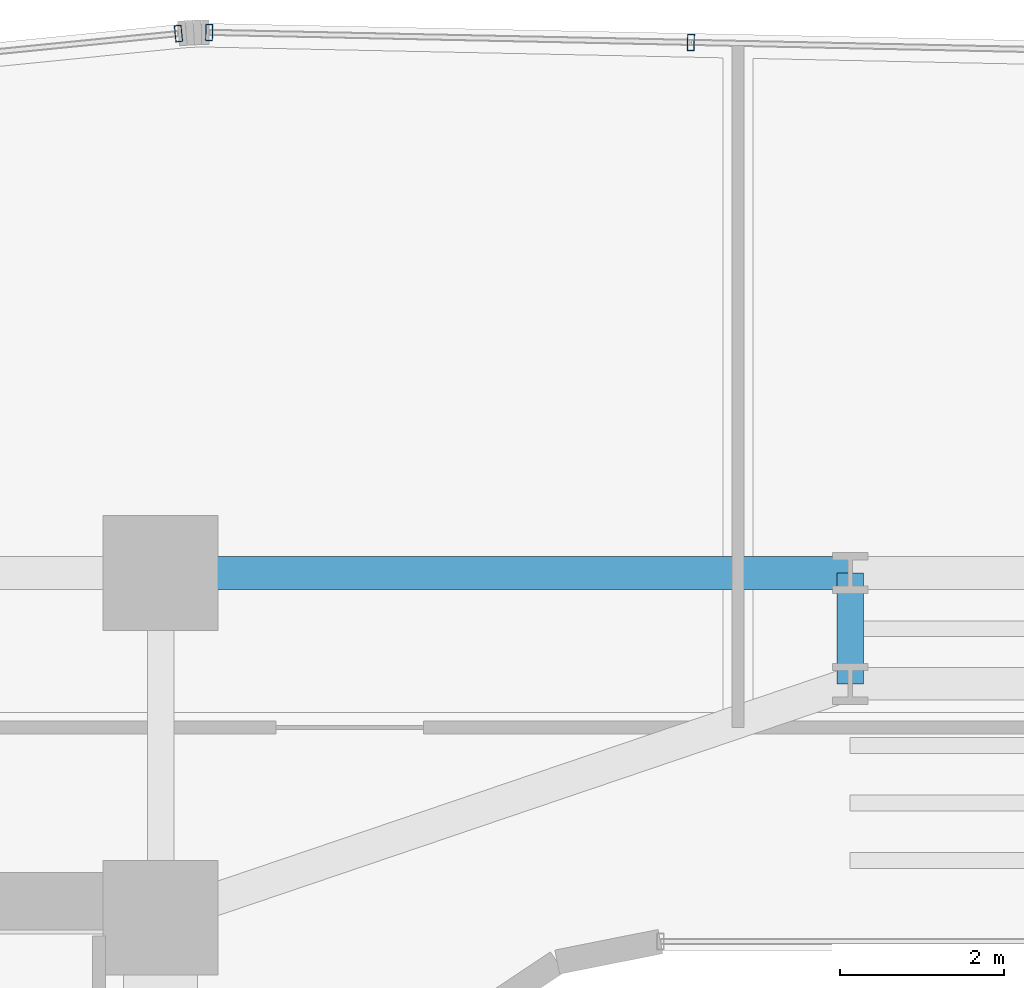
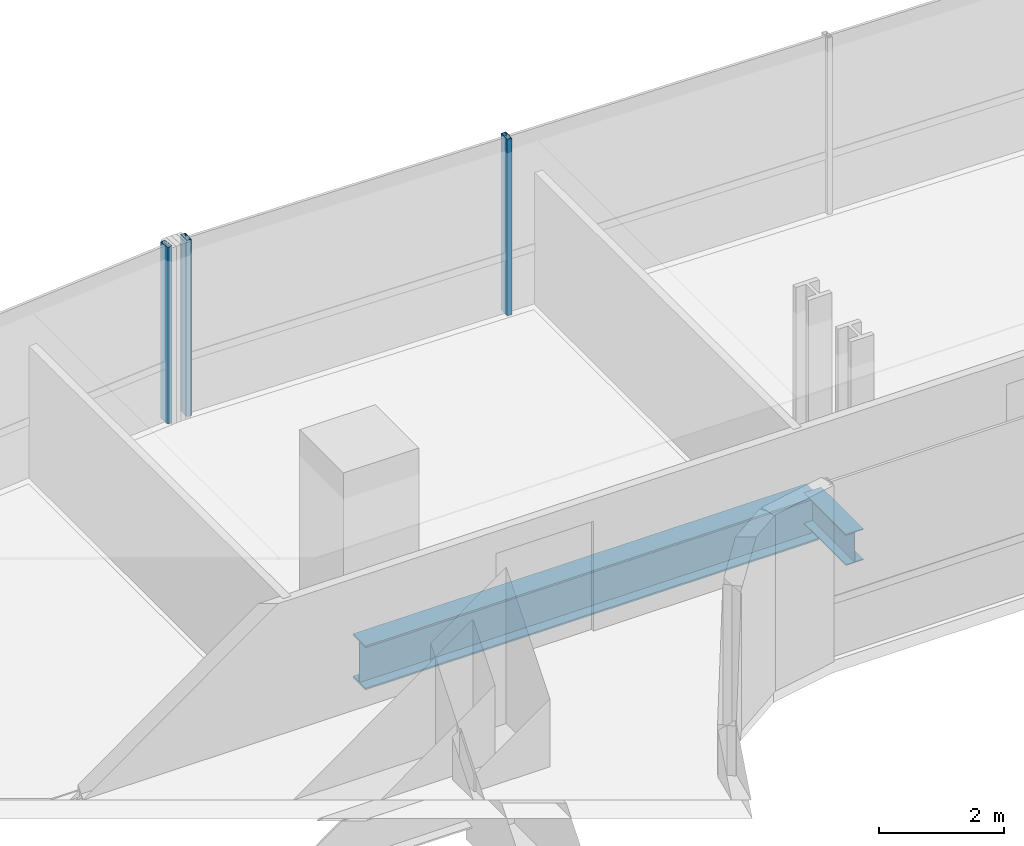
# One storey, part 19 of 39: 3 members, 2 beams, 2 elements without a shape of their own.
"""IFC4 building model written with IfcOpenShell, lengths in metres."""

import ifcopenshell
import ifcopenshell.guid

model = None  # the IFC model being written
_history = None  # IfcOwnerHistory: only IFC2X3 demands one
_inside = {}  # id of a spatial element -> (the spatial element, [elements in it])
_under = {}  # id of a project, library or spatial element -> (it, [spatial elements below it])
_declared = {}  # id of a project -> (the project, [libraries it declares])
_typed = {}  # id of a type object -> (the type object, [elements of that type])
_made_of = {}  # id of a material, layer set ... -> (it, [elements and type objects made of it])


def new_model(schema):
    """Start an empty IFC model of exactly this schema.

    Asked for "IFC4X3", IfcOpenShell would pick the latest addendum, in which some entities
    have other attributes; the version numbers below select the first issue.
    IFC2X3 requires an IfcOwnerHistory on every rooted entity: one is made here for all.
    """
    global model, _history
    if schema == "IFC4X3":
        model = ifcopenshell.file(schema_version=(4, 3, 0, 0))
    else:
        model = ifcopenshell.file(schema=schema)
    _inside.clear()
    _under.clear()
    _declared.clear()
    _typed.clear()
    _made_of.clear()
    _history = None
    if model.schema == "IFC2X3":
        org = make("IfcOrganization", Name="unknown")
        user = make(
            "IfcPersonAndOrganization",
            ThePerson=make("IfcPerson", FamilyName="unknown"),
            TheOrganization=org,
        )
        app = make(
            "IfcApplication",
            ApplicationDeveloper=org,
            Version="unknown",
            ApplicationFullName="unknown",
            ApplicationIdentifier="unknown",
        )
        _history = make(
            "IfcOwnerHistory",
            OwningUser=user,
            OwningApplication=app,
            ChangeAction="ADDED",
            CreationDate=0,
        )
    return model


def make(cls, **values):
    """One entity of the class cls with the attributes given. An attribute that is None is left unset."""
    return model.create_entity(
        cls, **{name: value for name, value in values.items() if value is not None}
    )


def rooted(cls, **values):
    """An entity with a GlobalId (a new one), such as an element, a storey or a relation."""
    return make(cls, GlobalId=ifcopenshell.guid.new(), OwnerHistory=_history, **values)


def si_unit(unit_type, name, prefix=None):
    """IfcSIUnit, for example si_unit("LENGTHUNIT", "METRE", prefix="MILLI")."""
    return make("IfcSIUnit", UnitType=unit_type, Prefix=prefix, Name=name)


def assignment(units):
    """IfcUnitAssignment: the units of a project."""
    return None if units is None else make("IfcUnitAssignment", Units=units)


def point(xyz):
    """IfcCartesianPoint."""
    return None if xyz is None else make("IfcCartesianPoint", Coordinates=xyz)


def direction(xyz):
    """IfcDirection."""
    return None if xyz is None else make("IfcDirection", DirectionRatios=xyz)


def frame(location, z_axis=None, x_axis=None):
    """IfcAxis2Placement3D, a coordinate frame: its origin and axes. An axis left out is left unset."""
    return make(
        "IfcAxis2Placement3D",
        Location=point(location),
        Axis=direction(z_axis),
        RefDirection=direction(x_axis),
    )


def frame_2d(location, x_axis=None):
    """IfcAxis2Placement2D, a coordinate frame in the plane: its origin and x axis."""
    return make(
        "IfcAxis2Placement2D", Location=point(location), RefDirection=direction(x_axis)
    )


def origin():
    """The frame at (0, 0, 0) with its axes left unset."""
    return frame((0.0, 0.0, 0.0))


def origin_2d():
    """The frame at (0, 0) in the plane with its x axis left unset."""
    return frame_2d((0.0, 0.0))


def place(relative_to, where):
    """IfcLocalPlacement: puts the frame where relative to a parent placement (None: the world)."""
    return make(
        "IfcLocalPlacement", PlacementRelTo=relative_to, RelativePlacement=where
    )


def context(
    kind, dimensions, precision=None, world=None, true_north=None, identifier=None
):
    """IfcGeometricRepresentationContext, for example the 3D "Model" context."""
    return make(
        "IfcGeometricRepresentationContext",
        ContextIdentifier=identifier,
        ContextType=kind,
        CoordinateSpaceDimension=dimensions,
        Precision=precision,
        WorldCoordinateSystem=world,
        TrueNorth=true_north,
    )


def subcontext(parent, identifier, kind, view, scale=None):
    """IfcGeometricRepresentationSubContext, for example "Body" below "Model"."""
    return make(
        "IfcGeometricRepresentationSubContext",
        ContextIdentifier=identifier,
        ContextType=kind,
        ParentContext=parent,
        TargetScale=scale,
        TargetView=view,
    )


def project(units=None, contexts=None):
    """IfcProject with its units and contexts."""
    return rooted(
        "IfcProject",
        Name="project",
        RepresentationContexts=contexts,
        UnitsInContext=assignment(units),
    )


def spatial(cls, under=None, at=None, **own):
    """A site, building, storey or space (cls), placed at a placement, below another one or the project."""
    s = rooted(cls, ObjectPlacement=at, **own)
    if under is not None:
        _under.setdefault(under.id(), (under, []))[1].append(s)
    return s


def profile(cls, at=None, kind="AREA", **sizes):
    """A parametric profile (cls). Its sizes go by their IFC names, for example OverallWidth=200.0."""
    return make(cls, ProfileType=kind, Position=at, **sizes)


def hollow_rectangle(**sizes):
    """IfcRectangleHollowProfileDef."""
    return profile("IfcRectangleHollowProfileDef", **sizes)


def i_section(**sizes):
    """IfcIShapeProfileDef."""
    return profile("IfcIShapeProfileDef", **sizes)


def extrude(swept, where, along, depth):
    """IfcExtrudedAreaSolid: the profile swept, set in the frame where, extruded along a direction by depth."""
    return make(
        "IfcExtrudedAreaSolid",
        SweptArea=swept,
        Position=where,
        ExtrudedDirection=direction(along),
        Depth=depth,
    )


def shape(context_of_items, identifier, shape_type, items):
    """IfcShapeRepresentation: the items that make up one representation, for example the "Body"."""
    return make(
        "IfcShapeRepresentation",
        ContextOfItems=context_of_items,
        RepresentationIdentifier=identifier,
        RepresentationType=shape_type,
        Items=items,
    )


def source(mapping_origin, context_of_items, identifier, shape_type, items):
    """IfcRepresentationMap: a shape defined once, which mapped items show again and again."""
    return make(
        "IfcRepresentationMap",
        MappingOrigin=mapping_origin,
        MappedRepresentation=shape(context_of_items, identifier, shape_type, items),
    )


def transform(
    local_origin,
    x_axis=None,
    y_axis=None,
    z_axis=None,
    scale=None,
    scale2=None,
    scale3=None,
    uniform=True,
):
    """IfcCartesianTransformationOperator3D, or its non-uniform kind. x_axis, y_axis, z_axis: its Axis1, 2, 3."""
    if uniform:
        return make(
            "IfcCartesianTransformationOperator3D",
            Axis1=direction(x_axis),
            Axis2=direction(y_axis),
            LocalOrigin=point(local_origin),
            Scale=scale,
            Axis3=direction(z_axis),
        )
    return make(
        "IfcCartesianTransformationOperator3DnonUniform",
        Axis1=direction(x_axis),
        Axis2=direction(y_axis),
        LocalOrigin=point(local_origin),
        Scale=scale,
        Axis3=direction(z_axis),
        Scale2=scale2,
        Scale3=scale3,
    )


def mapped(mapping_source, mapping_target):
    """IfcMappedItem: shows the shape of a source again, moved by a transform."""
    return make(
        "IfcMappedItem", MappingSource=mapping_source, MappingTarget=mapping_target
    )


def material(Name=None, Category=None):
    """IfcMaterial."""
    return make("IfcMaterial", Name=Name, Category=Category)


def material_profile(
    of_material, cross_section, Name=None, Category=None, Priority=None
):
    """IfcMaterialProfile: a cross section and its material."""
    return make(
        "IfcMaterialProfile",
        Name=Name,
        Material=of_material,
        Profile=cross_section,
        Priority=Priority,
        Category=Category,
    )


def profile_set(profiles, Name=None, composite=None):
    """IfcMaterialProfileSet."""
    return make(
        "IfcMaterialProfileSet",
        Name=Name,
        MaterialProfiles=profiles,
        CompositeProfile=composite,
    )


def made_of(thing, what):
    """Note that an element or type object is made of a material, layer set ...; save() writes the relation."""
    if what is not None:
        _made_of.setdefault(what.id(), (what, []))[1].append(thing)
    return thing


def type_object(cls, material=None, **own):
    """A type object (cls), such as IfcWallType, which elements share."""
    return made_of(rooted(cls, **own), material)


def element(
    cls,
    number,
    at=None,
    inside=None,
    cuts=None,
    type_object=None,
    material=None,
    context=None,
    identifier="Body",
    shape_type=None,
    held_by="IfcProductDefinitionShape",
    body=None,
    shapes=None,
    **own,
):
    """One element of the class cls, such as IfcWall. Its Tag is "e" and its number.

    at: its placement. inside: the storey or other place that contains it. cuts: it is an
    opening in that element (IfcRelVoidsElement). A single representation is given by context,
    identifier, shape_type and body (its items); several are given by shapes. held_by: the class
    of the entity that holds the representations. save() writes the other relations.
    """
    e = rooted(cls, Tag="e%d" % number, ObjectPlacement=at, **own)
    if body is not None:
        shapes = [shape(context, identifier, shape_type, body)]
    if shapes is not None:
        e.Representation = make(held_by, Representations=shapes)
    if inside is not None:
        _inside.setdefault(inside.id(), (inside, []))[1].append(e)
    if cuts is not None:
        rooted(
            "IfcRelVoidsElement", RelatingBuildingElement=cuts, RelatedOpeningElement=e
        )
    if type_object is not None:
        _typed.setdefault(type_object.id(), (type_object, []))[1].append(e)
    return made_of(e, material)


def aggregate(whole, parts):
    """IfcRelAggregates: a whole, such as a stair, and the parts it consists of."""
    return rooted("IfcRelAggregates", RelatingObject=whole, RelatedObjects=parts)


def save(model, path):
    """Write the relations noted so far, then the file.

    IfcRelAggregates (storeys below a building ...), IfcRelContainedInSpatialStructure (elements
    in a storey), IfcRelDefinesByType, IfcRelAssociatesMaterial and IfcRelDeclares: one each for
    every whole, place, type object, material and project.
    """
    for whole, parts in _under.values():
        aggregate(whole, parts)
    for where, things in _inside.values():
        rooted(
            "IfcRelContainedInSpatialStructure",
            RelatedElements=things,
            RelatingStructure=where,
        )
    for kind, things in _typed.values():
        rooted("IfcRelDefinesByType", RelatedObjects=things, RelatingType=kind)
    for what, things in _made_of.values():
        rooted("IfcRelAssociatesMaterial", RelatedObjects=things, RelatingMaterial=what)
    for by, libraries in _declared.values():
        rooted("IfcRelDeclares", RelatingContext=by, RelatedDefinitions=libraries)
    model.write(path)


model = new_model("IFC4")

# Units and contexts
model_context = context("Model", 3, precision=1e-05, world=origin(), true_north=direction((0.0, 1.0)))
body_context = subcontext(model_context, "Body", "Model", "MODEL_VIEW")
ifc_project = project(units=[si_unit("LENGTHUNIT", "METRE"), si_unit("AREAUNIT", "SQUARE_METRE"), si_unit("VOLUMEUNIT", "CUBIC_METRE"), si_unit("PLANEANGLEUNIT", "RADIAN"), si_unit("MASSUNIT", "GRAM", prefix="KILO")], contexts=[model_context])

# Site, building, storey
site_placement = place(None, origin())
site = spatial("IfcSite", under=ifc_project, at=site_placement, CompositionType="ELEMENT")
building_placement = place(site_placement, origin())
building = spatial("IfcBuilding", under=site, at=building_placement, Name="Valdorenza Pilgrim Sanctuary Tower", CompositionType="ELEMENT")
storey_placement = place(building_placement, frame((0.0, 0.0, 77.800048828125)))
storey = spatial("IfcBuildingStorey", under=building, at=storey_placement, Name="L19", CompositionType="ELEMENT", Elevation=77.800048828125)

# Beams
ifc_material_1 = material(Name="Steel ASTM A992 Grade 50", Category="steel")
ifc_material_profile_1 = material_profile(ifc_material_1, i_section(OverallWidth=0.39990234375, OverallDepth=0.862060546875, WebThickness=0.019775390625, FlangeThickness=0.032470703125, at=origin_2d()), Name="W33X221")
ifc_profile_set_1 = profile_set([ifc_material_profile_1], Name="Steel ASTM A992 Grade 50")
beam_type_1 = type_object("IfcBeamType", Name="STR-BM-GRD-W33", PredefinedType="BEAM", material=ifc_profile_set_1)
shared_shape_1 = source(origin(), body_context, "Body", "SweptSolid", [
    extrude(i_section(OverallWidth=0.39990234375, OverallDepth=0.862060546875, WebThickness=0.019775390625, FlangeThickness=0.032470703125, at=origin_2d()), origin(), (0.0, 0.0, 1.0), 8.39990234375),
])
beam_1_placement = place(storey_placement, frame((-12.39990234375, 14.800048828125, -0.671142578125), z_axis=(1.0, 0.0, 0.0), x_axis=(0.0, 1.0, 0.0)))
element("IfcBeam", 1, at=beam_1_placement, inside=storey, type_object=beam_type_1, Name="L19 Floor Girder KNK-G4", PredefinedType="BEAM", context=body_context, shape_type="MappedRepresentation", body=[
    mapped(shared_shape_1, transform((0.0, 0.0, 0.0), x_axis=(1.0, 0.0, 0.0), y_axis=(0.0, 1.0, 0.0), z_axis=(0.0, 0.0, 1.0), scale=1.0)),
])
ifc_material_profile_2 = material_profile(ifc_material_1, i_section(OverallWidth=0.323974609375, OverallDepth=0.611083984375, WebThickness=0.0126953125, FlangeThickness=0.01904296875, at=origin_2d()), Name="W24X104")
ifc_profile_set_2 = profile_set([ifc_material_profile_2], Name="Steel ASTM A992 Grade 50")
beam_type_2 = type_object("IfcBeamType", Name="STR-BM-GRD-W24B", PredefinedType="BEAM", material=ifc_profile_set_2)
shared_shape_2 = source(origin(), body_context, "Body", "SweptSolid", [
    extrude(i_section(OverallWidth=0.323974609375, OverallDepth=0.611083984375, WebThickness=0.0126953125, FlangeThickness=0.01904296875, at=origin_2d()), origin(), (0.0, 0.0, 1.0), 1.35009765625),
])
beam_2_placement = place(storey_placement, frame((-4.0, 13.449951171875, -0.545654296875), z_axis=(0.0, 1.0, 0.0), x_axis=(-1.0, 0.0, 0.0)))
element("IfcBeam", 2, at=beam_2_placement, inside=storey, type_object=beam_type_2, Name="L19 Floor Girder KNK-TIE-W", PredefinedType="BEAM", context=body_context, shape_type="MappedRepresentation", body=[
    mapped(shared_shape_2, transform((0.0, 0.0, 0.0), x_axis=(1.0, 0.0, 0.0), y_axis=(0.0, 1.0, 0.0), z_axis=(0.0, 0.0, 1.0), scale=1.0)),
])

# Curtain wall, member
ifc_material_2 = material(Name="Curtain-wall IGU glazing", Category="glass")
curtain_wall_type = type_object("IfcCurtainWallType", Name="CW-SYS-02", PredefinedType="NOTDEFINED", material=ifc_material_2)
curtain_wall_1_placement = place(storey_placement, origin())
curtain_wall_1 = element("IfcCurtainWall", 3, at=curtain_wall_1_placement, inside=storey, type_object=curtain_wall_type, Name="L19 Curtain Wall CW-L19-1-6", PredefinedType="NOTDEFINED")
ifc_material_3 = material(Name="Anodised aluminium AW-6060", Category="aluminium")
ifc_material_profile_3 = material_profile(ifc_material_3, hollow_rectangle(XDim=0.0849609375, YDim=0.199951171875, WallThickness=0.0048828125, at=origin_2d()), Name="ALU-M 200x85x5")
ifc_profile_set_3 = profile_set([ifc_material_profile_3], Name="Anodised aluminium AW-6060")
member_type = type_object("IfcMemberType", Name="CW-MUL-02", PredefinedType="MULLION", material=ifc_profile_set_3)
shared_shape_3 = source(origin(), body_context, "Body", "SweptSolid", [
    extrude(hollow_rectangle(XDim=0.0849609375, YDim=0.199951171875, WallThickness=0.0048828125, at=origin_2d()), origin(), (0.0, 0.0, 1.0), 3.4599609375),
])
member_1_placement = place(storey_placement, frame((-12.181884765625, 21.371337890625, 0.0), z_axis=(0.0, 0.0, 1.0), x_axis=(0.995038220239, 0.099493418189, 0.0)))
member_1 = element("IfcMember", 4, at=member_1_placement, type_object=member_type, Name="CW-L19-1-6 Mullion 4", PredefinedType="MULLION", context=body_context, shape_type="MappedRepresentation", body=[
    mapped(shared_shape_3, transform((0.0, 0.0, 0.0), x_axis=(1.0, 0.0, 0.0), y_axis=(0.0, 1.0, 0.0), z_axis=(0.0, 0.0, 1.0), scale=1.0)),
])
aggregate(curtain_wall_1, [member_1])

# Curtain wall, members
curtain_wall_2_placement = place(storey_placement, origin())
curtain_wall_2 = element("IfcCurtainWall", 5, at=curtain_wall_2_placement, inside=storey, type_object=curtain_wall_type, Name="L19 Curtain Wall CW-L19-1-11", PredefinedType="NOTDEFINED")
member_2_placement = place(storey_placement, frame((-11.808349609375, 21.385986328125, 0.0), z_axis=(0.0, 0.0, 1.0), x_axis=(0.999783234613, -0.020820273474, 0.0)))
member_2 = element("IfcMember", 6, at=member_2_placement, type_object=member_type, Name="CW-L19-1-11 Mullion 1", PredefinedType="MULLION", context=body_context, shape_type="MappedRepresentation", body=[
    mapped(shared_shape_3, transform((0.0, 0.0, 0.0), x_axis=(1.0, 0.0, 0.0), y_axis=(0.0, 1.0, 0.0), z_axis=(0.0, 0.0, 1.0), scale=1.0)),
])
member_3_placement = place(storey_placement, frame((-5.93994140625, 21.263671875, 0.0), z_axis=(0.0, 0.0, 1.0), x_axis=(0.999783234613, -0.020820273474, 0.0)))
member_3 = element("IfcMember", 7, at=member_3_placement, type_object=member_type, Name="CW-L19-1-11 Mullion 2", PredefinedType="MULLION", context=body_context, shape_type="MappedRepresentation", body=[
    mapped(shared_shape_3, transform((0.0, 0.0, 0.0), x_axis=(1.0, 0.0, 0.0), y_axis=(0.0, 1.0, 0.0), z_axis=(0.0, 0.0, 1.0), scale=1.0)),
])
aggregate(curtain_wall_2, [member_2, member_3])

save(model, "model.ifc")
